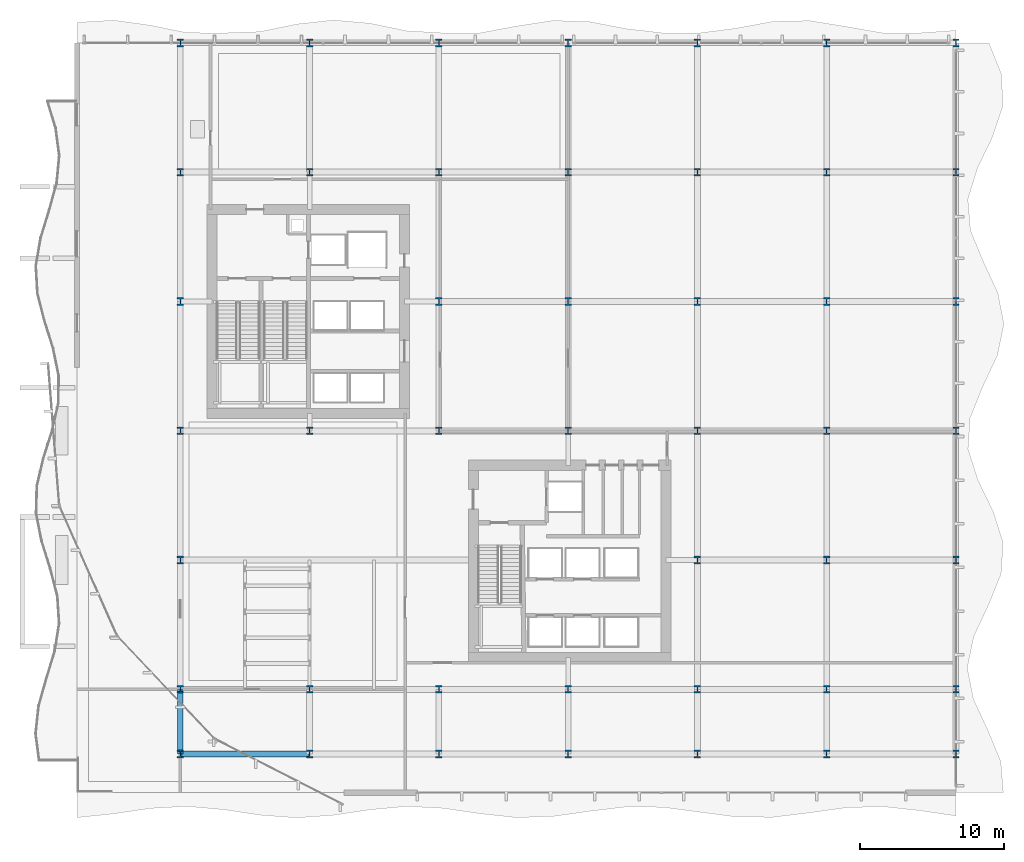
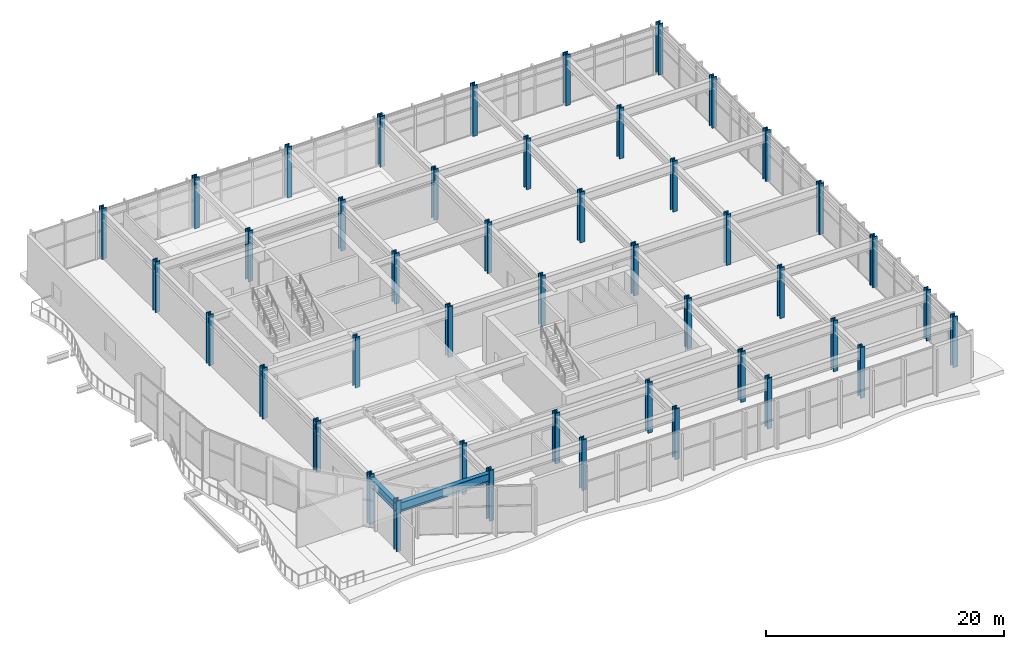
# One storey, part 1 of 33: 45 columns, 2 beams.
"""IFC4 building model written with IfcOpenShell, lengths in metres."""

from ifc_helpers import new_model, si_unit, direction, frame, origin, origin_2d, place, context, subcontext, project, spatial, i_section, extrude, material, material_profile, profile_set, type_object, element, save


model = new_model("IFC4")

# Units and contexts
model_context = context("Model", 3, precision=1e-05, world=origin(), true_north=direction((0.0, 1.0)))
body_context = subcontext(model_context, "Body", "Model", "MODEL_VIEW")
ifc_project = project(units=[si_unit("LENGTHUNIT", "METRE"), si_unit("AREAUNIT", "SQUARE_METRE"), si_unit("VOLUMEUNIT", "CUBIC_METRE"), si_unit("PLANEANGLEUNIT", "RADIAN"), si_unit("MASSUNIT", "GRAM", prefix="KILO")], contexts=[model_context])

# Site, building, storey
site_placement = place(None, origin())
site = spatial("IfcSite", under=ifc_project, at=site_placement, CompositionType="ELEMENT")
building_placement = place(site_placement, origin())
building = spatial("IfcBuilding", under=site, at=building_placement, Name="Solvaryn Broadcast Tower", CompositionType="ELEMENT")
storey_placement = place(building_placement, frame((0.0, 0.0, 5.800048828125)))
storey = spatial("IfcBuildingStorey", under=building, at=storey_placement, Name="L01", CompositionType="ELEMENT", Elevation=5.800048828125)

# Columns
ifc_material_1 = material(Name="Steel ASTM A913 Grade 65", Category="steel")
ifc_material_profile_1 = material_profile(ifc_material_1, i_section(OverallWidth=0.44189453125, OverallDepth=0.531005859375, WebThickness=0.06591796875, FlangeThickness=0.105712890625, FilletRadius=0.014892578125, at=origin_2d()))
ifc_profile_set_1 = profile_set([ifc_material_profile_1], Name="Steel ASTM A913 Grade 65")
column_type_1 = type_object("IfcColumnType", Name="COL-C02E-W14X605", PredefinedType="COLUMN", material=ifc_profile_set_1)
for number, where, z_axis, x_axis, name in (
    (1, (9.0, 54.0, 0.0), (0.0, 0.0, 1.0), (1.0, 0.0, 0.0), "L01 Column (9.0, 54.0)"),
    (2, (18.0, 54.0, 0.0), (0.0, 0.0, 1.0), (1.0, 0.0, 0.0), "L01 Column (18.0, 54.0)"),
    (3, (27.0, 54.0, 0.0), (0.0, 0.0, 1.0), (1.0, 0.0, 0.0), "L01 Column (27.0, 54.0)"),
    (4, (36.0, 54.0, 0.0), (0.0, 0.0, 1.0), (1.0, 0.0, 0.0), "L01 Column (36.0, 54.0)"),
    (5, (45.0, 54.0, 0.0), (0.0, 0.0, 1.0), (1.0, 0.0, 0.0), "L01 Column (45.0, 54.0)"),
    (6, (54.0, 54.0, 0.0), (0.0, 0.0, 1.0), (1.0, 0.0, 0.0), "L01 Column (54.0, 54.0)"),
    (7, (63.0, 9.0, 0.0), (0.0, 0.0, 1.0), (1.0, 0.0, 0.0), "L01 Column (63.0, 9.0)"),
    (8, (63.0, 18.0, 0.0), (0.0, 0.0, 1.0), (1.0, 0.0, 0.0), "L01 Column (63.0, 18.0)"),
    (9, (63.0, 27.0, 0.0), (0.0, 0.0, 1.0), (1.0, 0.0, 0.0), "L01 Column (63.0, 27.0)"),
    (10, (63.0, 36.0, 0.0), (0.0, 0.0, 1.0), (1.0, 0.0, 0.0), "L01 Column (63.0, 36.0)"),
    (11, (63.0, 45.0, 0.0), (0.0, 0.0, 1.0), (1.0, 0.0, 0.0), "L01 Column (63.0, 45.0)"),
    (12, (63.0, 54.0, 0.0), (0.0, 0.0, 1.0), (1.0, 0.0, 0.0), "L01 Column (63.0, 54.0)"),
):
    element("IfcColumn", number, at=place(storey_placement, frame(where, z_axis=z_axis, x_axis=x_axis)), inside=storey, type_object=column_type_1, Name=name, PredefinedType="COLUMN", context=body_context, shape_type="SweptSolid", body=[
        extrude(i_section(OverallWidth=0.44189453125, OverallDepth=0.531005859375, WebThickness=0.06591796875, FlangeThickness=0.105712890625, FilletRadius=0.014892578125, at=origin_2d()), origin(), (0.0, 0.0, 1.0), 5.199951171875),
    ])
ifc_material_2 = material(Name="Steel ASTM A913 Grade 65", Category="steel")
ifc_material_profile_2 = material_profile(ifc_material_2, i_section(OverallWidth=0.44189453125, OverallDepth=0.531005859375, WebThickness=0.06591796875, FlangeThickness=0.105712890625, FilletRadius=0.014892578125, at=origin_2d()))
ifc_profile_set_2 = profile_set([ifc_material_profile_2], Name="Steel ASTM A913 Grade 65")
column_type_2 = type_object("IfcColumnType", Name="COL-C02I-W14X605", PredefinedType="COLUMN", material=ifc_profile_set_2)
for number, where, z_axis, x_axis, name in (
    (13, (9.0, 9.0, 0.0), (0.0, 0.0, 1.0), (1.0, 0.0, 0.0), "L01 Column (9.0, 9.0)"),
    (14, (9.0, 18.0, 0.0), (0.0, 0.0, 1.0), (1.0, 0.0, 0.0), "L01 Column (9.0, 18.0)"),
    (15, (9.0, 27.0, 0.0), (0.0, 0.0, 1.0), (1.0, 0.0, 0.0), "L01 Column (9.0, 27.0)"),
    (16, (9.0, 36.0, 0.0), (0.0, 0.0, 1.0), (1.0, 0.0, 0.0), "L01 Column (9.0, 36.0)"),
    (17, (9.0, 45.0, 0.0), (0.0, 0.0, 1.0), (1.0, 0.0, 0.0), "L01 Column (9.0, 45.0)"),
    (18, (18.0, 9.0, 0.0), (0.0, 0.0, 1.0), (1.0, 0.0, 0.0), "L01 Column (18.0, 9.0)"),
    (19, (18.0, 27.0, 0.0), (0.0, 0.0, 1.0), (1.0, 0.0, 0.0), "L01 Column (18.0, 27.0)"),
    (20, (18.0, 45.0, 0.0), (0.0, 0.0, 1.0), (1.0, 0.0, 0.0), "L01 Column (18.0, 45.0)"),
    (21, (27.0, 9.0, 0.0), (0.0, 0.0, 1.0), (1.0, 0.0, 0.0), "L01 Column (27.0, 9.0)"),
    (22, (27.0, 27.0, 0.0), (0.0, 0.0, 1.0), (1.0, 0.0, 0.0), "L01 Column (27.0, 27.0)"),
    (23, (27.0, 36.0, 0.0), (0.0, 0.0, 1.0), (1.0, 0.0, 0.0), "L01 Column (27.0, 36.0)"),
    (24, (27.0, 45.0, 0.0), (0.0, 0.0, 1.0), (1.0, 0.0, 0.0), "L01 Column (27.0, 45.0)"),
    (25, (36.0, 9.0, 0.0), (0.0, 0.0, 1.0), (1.0, 0.0, 0.0), "L01 Column (36.0, 9.0)"),
    (26, (36.0, 27.0, 0.0), (0.0, 0.0, 1.0), (1.0, 0.0, 0.0), "L01 Column (36.0, 27.0)"),
    (27, (36.0, 36.0, 0.0), (0.0, 0.0, 1.0), (1.0, 0.0, 0.0), "L01 Column (36.0, 36.0)"),
    (28, (36.0, 45.0, 0.0), (0.0, 0.0, 1.0), (1.0, 0.0, 0.0), "L01 Column (36.0, 45.0)"),
    (29, (45.0, 9.0, 0.0), (0.0, 0.0, 1.0), (1.0, 0.0, 0.0), "L01 Column (45.0, 9.0)"),
    (30, (45.0, 18.0, 0.0), (0.0, 0.0, 1.0), (1.0, 0.0, 0.0), "L01 Column (45.0, 18.0)"),
    (31, (45.0, 27.0, 0.0), (0.0, 0.0, 1.0), (1.0, 0.0, 0.0), "L01 Column (45.0, 27.0)"),
    (32, (45.0, 36.0, 0.0), (0.0, 0.0, 1.0), (1.0, 0.0, 0.0), "L01 Column (45.0, 36.0)"),
    (33, (45.0, 45.0, 0.0), (0.0, 0.0, 1.0), (1.0, 0.0, 0.0), "L01 Column (45.0, 45.0)"),
    (34, (54.0, 9.0, 0.0), (0.0, 0.0, 1.0), (1.0, 0.0, 0.0), "L01 Column (54.0, 9.0)"),
    (35, (54.0, 18.0, 0.0), (0.0, 0.0, 1.0), (1.0, 0.0, 0.0), "L01 Column (54.0, 18.0)"),
    (36, (54.0, 27.0, 0.0), (0.0, 0.0, 1.0), (1.0, 0.0, 0.0), "L01 Column (54.0, 27.0)"),
    (37, (54.0, 36.0, 0.0), (0.0, 0.0, 1.0), (1.0, 0.0, 0.0), "L01 Column (54.0, 36.0)"),
    (38, (54.0, 45.0, 0.0), (0.0, 0.0, 1.0), (1.0, 0.0, 0.0), "L01 Column (54.0, 45.0)"),
    (39, (9.0, 4.5, 0.0), (0.0, 0.0, 1.0), (1.0, 0.0, 0.0), "L01 Column (9.0, 4.5)"),
    (40, (18.0, 4.5, 0.0), (0.0, 0.0, 1.0), (1.0, 0.0, 0.0), "L01 Column (18.0, 4.5)"),
    (41, (27.0, 4.5, 0.0), (0.0, 0.0, 1.0), (1.0, 0.0, 0.0), "L01 Column (27.0, 4.5)"),
    (42, (36.0, 4.5, 0.0), (0.0, 0.0, 1.0), (1.0, 0.0, 0.0), "L01 Column (36.0, 4.5)"),
    (43, (45.0, 4.5, 0.0), (0.0, 0.0, 1.0), (1.0, 0.0, 0.0), "L01 Column (45.0, 4.5)"),
    (44, (54.0, 4.5, 0.0), (0.0, 0.0, 1.0), (1.0, 0.0, 0.0), "L01 Column (54.0, 4.5)"),
    (45, (63.0, 4.5, 0.0), (0.0, 0.0, 1.0), (1.0, 0.0, 0.0), "L01 Column (63.0, 4.5)"),
):
    element("IfcColumn", number, at=place(storey_placement, frame(where, z_axis=z_axis, x_axis=x_axis)), inside=storey, type_object=column_type_2, Name=name, PredefinedType="COLUMN", context=body_context, shape_type="SweptSolid", body=[
        extrude(i_section(OverallWidth=0.44189453125, OverallDepth=0.531005859375, WebThickness=0.06591796875, FlangeThickness=0.105712890625, FilletRadius=0.014892578125, at=origin_2d()), origin(), (0.0, 0.0, 1.0), 5.199951171875),
    ])

# Beams
ifc_material_3 = material(Name="Steel ASTM A992 Grade 50", Category="steel")
ifc_material_profile_3 = material_profile(ifc_material_3, i_section(OverallWidth=0.41796875, OverallDepth=0.927001953125, WebThickness=0.019287109375, FlangeThickness=0.031982421875, FilletRadius=0.02392578125, at=origin_2d()))
ifc_profile_set_3 = profile_set([ifc_material_profile_3], Name="Steel ASTM A992 Grade 50")
beam_type_1 = type_object("IfcBeamType", Name="BM-G2-W36X231", PredefinedType="BEAM", material=ifc_profile_set_3)
beam_1_placement = place(storey_placement, frame((9.0, 4.5, 4.41650390625), z_axis=(1.0, 0.0, 0.0), x_axis=(0.0, 1.0, 0.0)))
element("IfcBeam", 46, at=beam_1_placement, inside=storey, type_object=beam_type_1, Name="L01 Primary Beam X (9-18 @ Y=4)", PredefinedType="BEAM", context=body_context, shape_type="SweptSolid", body=[
    extrude(i_section(OverallWidth=0.41796875, OverallDepth=0.927001953125, WebThickness=0.019287109375, FlangeThickness=0.031982421875, FilletRadius=0.02392578125, at=origin_2d()), origin(), (0.0, 0.0, 1.0), 9.0),
])
ifc_material_4 = material(Name="Steel ASTM A992 Grade 50", Category="steel")
ifc_material_profile_4 = material_profile(ifc_material_4, i_section(OverallWidth=0.39990234375, OverallDepth=0.85498046875, WebThickness=0.018310546875, FlangeThickness=0.029296875, FilletRadius=0.02001953125, at=origin_2d()))
ifc_profile_set_4 = profile_set([ifc_material_profile_4], Name="Steel ASTM A992 Grade 50")
beam_type_2 = type_object("IfcBeamType", Name="BM-G3-W33X201", PredefinedType="BEAM", material=ifc_profile_set_4)
beam_2_placement = place(storey_placement, frame((9.0, 4.5, 4.452392578125), z_axis=(0.0, 1.0, 0.0), x_axis=(-1.0, 0.0, 0.0)))
element("IfcBeam", 47, at=beam_2_placement, inside=storey, type_object=beam_type_2, Name="L01 Primary Beam Y (4-9 @ X=9)", PredefinedType="BEAM", context=body_context, shape_type="SweptSolid", body=[
    extrude(i_section(OverallWidth=0.39990234375, OverallDepth=0.85498046875, WebThickness=0.018310546875, FlangeThickness=0.029296875, FilletRadius=0.02001953125, at=origin_2d()), origin(), (0.0, 0.0, 1.0), 4.5),
])

save(model, "model.ifc")
